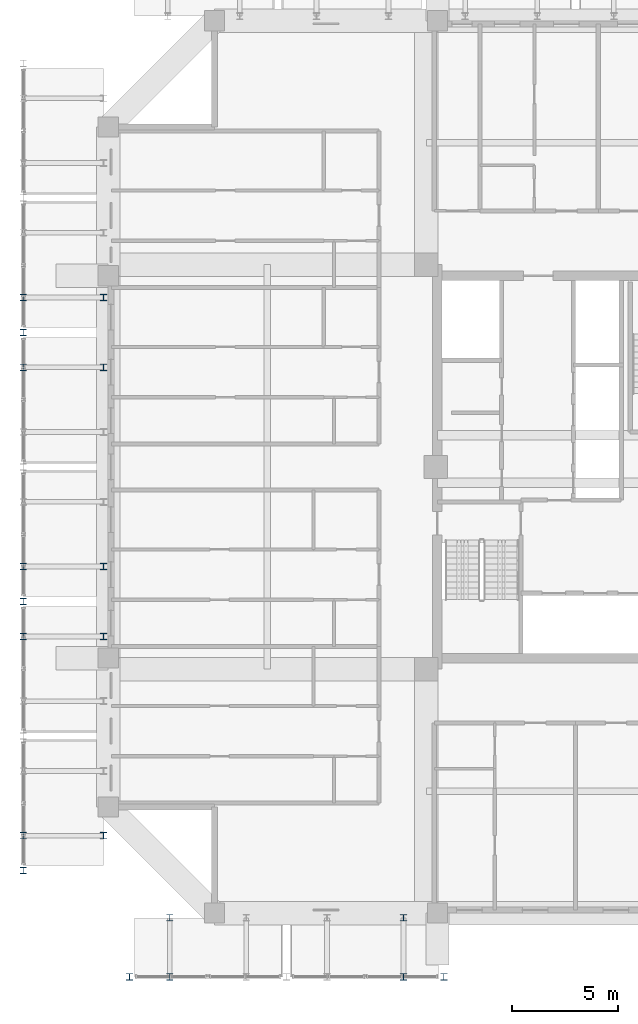
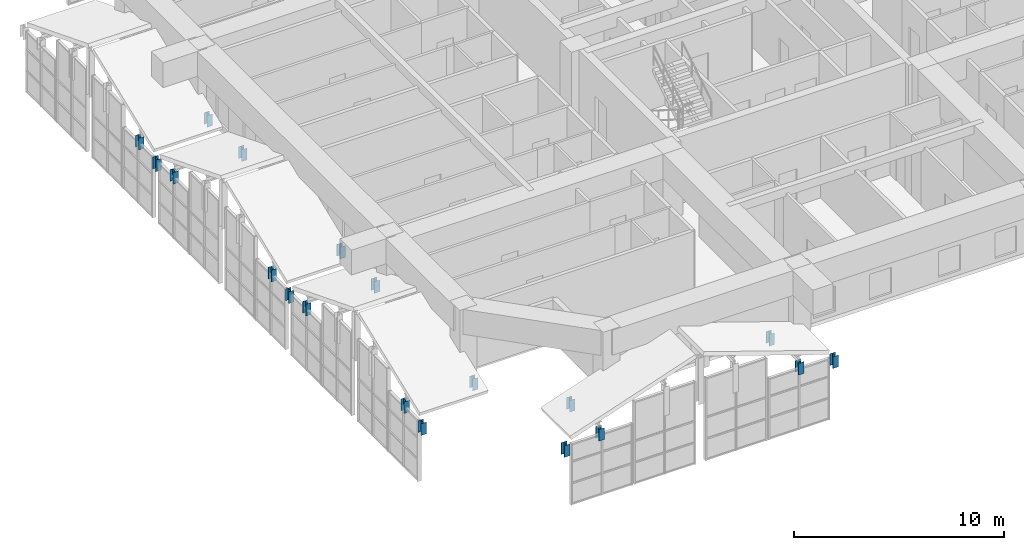
# One storey, part 28 of 45: 19 members.
"""IFC4 building model written with IfcOpenShell, lengths in metres."""

from ifc_helpers import new_model, si_unit, direction, frame, origin, origin_2d, place, context, subcontext, project, spatial, i_section, extrude, source, transform, mapped, material, material_profile, profile_set, type_object, element, save


model = new_model("IFC4")

# Units and contexts
model_context = context("Model", 3, precision=1e-05, world=origin(), true_north=direction((0.0, 1.0)))
body_context = subcontext(model_context, "Body", "Model", "MODEL_VIEW")
ifc_project = project(units=[si_unit("LENGTHUNIT", "METRE"), si_unit("AREAUNIT", "SQUARE_METRE"), si_unit("VOLUMEUNIT", "CUBIC_METRE"), si_unit("PLANEANGLEUNIT", "RADIAN"), si_unit("MASSUNIT", "GRAM", prefix="KILO")], contexts=[model_context])

# Site, building, storey
site_placement = place(None, origin())
site = spatial("IfcSite", under=ifc_project, at=site_placement, CompositionType="ELEMENT")
building_placement = place(site_placement, origin())
building = spatial("IfcBuilding", under=site, at=building_placement, Name="Saelheon Loggia Tower", CompositionType="ELEMENT")
storey_placement = place(building_placement, frame((0.0, 0.0, 152.199951171875)))
storey = spatial("IfcBuildingStorey", under=building, at=storey_placement, Name="L48", CompositionType="ELEMENT", Elevation=152.199951171875)

# Members
ifc_material = material(Name="Steel SM355", Category="steel")
ifc_material_profile_1 = material_profile(ifc_material, i_section(OverallWidth=0.300048828125, OverallDepth=0.300048828125, WebThickness=0.010009765625, FlangeThickness=0.014892578125, at=origin_2d()), Name="H-300x300x10x15")
ifc_profile_set_1 = profile_set([ifc_material_profile_1], Name="Steel SM355")
member_type_1 = type_object("IfcMemberType", Name="WaveCrest_Post_H300", PredefinedType="POST", material=ifc_profile_set_1)
shared_shape_1 = source(origin(), body_context, "Body", "SweptSolid", [
    extrude(i_section(OverallWidth=0.300048828125, OverallDepth=0.300048828125, WebThickness=0.010009765625, FlangeThickness=0.014892578125, at=origin_2d()), origin(), (0.0, 0.0, 1.0), 0.679931640625),
])
for number, where, z_axis, x_axis, name in (
    (1, (12.0, 8.0, -0.47998046875), (0.0, 0.0, 1.0), (1.0, 0.0, 0.0), "Tier 1 Wave Crest Upper Post W 00"),
    (2, (12.0, 20.666748046875, -0.47998046875), (0.0, 0.0, 1.0), (1.0, 0.0, 0.0), "Tier 1 Wave Crest Upper Post W 02"),
    (3, (12.0, 33.333251953125, -0.47998046875), (0.0, 0.0, 1.0), (1.0, 0.0, 0.0), "Tier 1 Wave Crest Upper Post W 04"),
    (4, (17.0, 3.0, -0.47998046875), (0.0, 0.0, 1.0), (1.0, 0.0, 0.0), "Tier 1 Wave Crest Upper Post SW 00"),
    (5, (31.800048828125, 3.0, -0.47998046875), (0.0, 0.0, 1.0), (1.0, 0.0, 0.0), "Tier 1 Wave Crest Upper Post SW 02"),
    (6, (18.90087890625, 3.0, -0.20166015625), (0.0, 0.0, 1.0), (1.0, 0.0, 0.0), "Tier 1 Rafter Outer Upper Post SW 01"),
):
    element("IfcMember", number, at=place(storey_placement, frame(where, z_axis=z_axis, x_axis=x_axis)), inside=storey, type_object=member_type_1, Name=name, PredefinedType="POST", context=body_context, shape_type="MappedRepresentation", body=[
        mapped(shared_shape_1, transform((0.0, 0.0, 0.0), scale=1.0)),
    ])
ifc_material_profile_2 = material_profile(ifc_material, i_section(OverallWidth=0.300048828125, OverallDepth=0.300048828125, WebThickness=0.010009765625, FlangeThickness=0.014892578125, at=origin_2d()), Name="H-300x300x10x15")
ifc_profile_set_2 = profile_set([ifc_material_profile_2], Name="Steel SM355")
member_type_2 = type_object("IfcMemberType", Name="Belt_Post_H300", PredefinedType="POST", material=ifc_profile_set_2)
member_1_placement = place(storey_placement, frame((18.90087890625, 5.780029296875, -0.20166015625), z_axis=(0.0, 0.0, 1.0), x_axis=(1.0, 0.0, 0.0)))
element("IfcMember", 7, at=member_1_placement, inside=storey, type_object=member_type_2, Name="Tier 1 Rafter Inner Post SW 01", PredefinedType="POST", context=body_context, shape_type="MappedRepresentation", body=[
    mapped(shared_shape_1, transform((0.0, 0.0, 0.0), scale=1.0)),
])
member_2_placement = place(storey_placement, frame((29.899169921875, 3.0, -0.20166015625), z_axis=(0.0, 0.0, 1.0), x_axis=(1.0, 0.0, 0.0)))
element("IfcMember", 8, at=member_2_placement, inside=storey, type_object=member_type_1, Name="Tier 1 Rafter Outer Upper Post SW 02", PredefinedType="POST", context=body_context, shape_type="MappedRepresentation", body=[
    mapped(shared_shape_1, transform((0.0, 0.0, 0.0), scale=1.0)),
])
member_3_placement = place(storey_placement, frame((29.899169921875, 5.780029296875, -0.20166015625), z_axis=(0.0, 0.0, 1.0), x_axis=(1.0, 0.0, 0.0)))
element("IfcMember", 9, at=member_3_placement, inside=storey, type_object=member_type_2, Name="Tier 1 Rafter Inner Post SW 02", PredefinedType="POST", context=body_context, shape_type="MappedRepresentation", body=[
    mapped(shared_shape_1, transform((0.0, 0.0, 0.0), scale=1.0)),
])
shared_shape_2 = source(origin(), body_context, "Body", "SweptSolid", [
    extrude(i_section(OverallWidth=0.300048828125, OverallDepth=0.300048828125, WebThickness=0.010009765625, FlangeThickness=0.014892578125, at=origin_2d()), origin(), (0.0, 0.0, 1.0), 0.68017578125),
])
member_4_placement = place(storey_placement, frame((12.0, 9.644775390625, -0.2080078125), z_axis=(0.0, 0.0, 1.0), x_axis=(1.0, 0.0, 0.0)))
element("IfcMember", 10, at=member_4_placement, inside=storey, type_object=member_type_1, Name="Tier 1 Rafter Outer Upper Post W 01", PredefinedType="POST", context=body_context, shape_type="MappedRepresentation", body=[
    mapped(shared_shape_2, transform((0.0, 0.0, 0.0), scale=1.0)),
])
member_5_placement = place(storey_placement, frame((15.780029296875, 9.644775390625, -0.2080078125), z_axis=(0.0, 0.0, 1.0), x_axis=(1.0, 0.0, 0.0)))
element("IfcMember", 11, at=member_5_placement, inside=storey, type_object=member_type_2, Name="Tier 1 Rafter Inner Post W 01", PredefinedType="POST", context=body_context, shape_type="MappedRepresentation", body=[
    mapped(shared_shape_2, transform((0.0, 0.0, 0.0), scale=1.0)),
])
member_6_placement = place(storey_placement, frame((12.0, 19.02197265625, -0.2080078125), z_axis=(0.0, 0.0, 1.0), x_axis=(1.0, 0.0, 0.0)))
element("IfcMember", 12, at=member_6_placement, inside=storey, type_object=member_type_1, Name="Tier 1 Rafter Outer Upper Post W 02", PredefinedType="POST", context=body_context, shape_type="MappedRepresentation", body=[
    mapped(shared_shape_2, transform((0.0, 0.0, 0.0), scale=1.0)),
])
member_7_placement = place(storey_placement, frame((15.780029296875, 19.02197265625, -0.2080078125), z_axis=(0.0, 0.0, 1.0), x_axis=(1.0, 0.0, 0.0)))
element("IfcMember", 13, at=member_7_placement, inside=storey, type_object=member_type_2, Name="Tier 1 Rafter Inner Post W 02", PredefinedType="POST", context=body_context, shape_type="MappedRepresentation", body=[
    mapped(shared_shape_2, transform((0.0, 0.0, 0.0), scale=1.0)),
])
member_8_placement = place(storey_placement, frame((12.0, 22.3115234375, -0.2080078125), z_axis=(0.0, 0.0, 1.0), x_axis=(1.0, 0.0, 0.0)))
element("IfcMember", 14, at=member_8_placement, inside=storey, type_object=member_type_1, Name="Tier 1 Rafter Outer Upper Post W 03", PredefinedType="POST", context=body_context, shape_type="MappedRepresentation", body=[
    mapped(shared_shape_2, transform((0.0, 0.0, 0.0), scale=1.0)),
])
member_9_placement = place(storey_placement, frame((15.780029296875, 22.3115234375, -0.2080078125), z_axis=(0.0, 0.0, 1.0), x_axis=(1.0, 0.0, 0.0)))
element("IfcMember", 15, at=member_9_placement, inside=storey, type_object=member_type_2, Name="Tier 1 Rafter Inner Post W 03", PredefinedType="POST", context=body_context, shape_type="MappedRepresentation", body=[
    mapped(shared_shape_2, transform((0.0, 0.0, 0.0), scale=1.0)),
])
member_10_placement = place(storey_placement, frame((12.0, 31.6884765625, -0.2080078125), z_axis=(0.0, 0.0, 1.0), x_axis=(1.0, 0.0, 0.0)))
element("IfcMember", 16, at=member_10_placement, inside=storey, type_object=member_type_1, Name="Tier 1 Rafter Outer Upper Post W 04", PredefinedType="POST", context=body_context, shape_type="MappedRepresentation", body=[
    mapped(shared_shape_2, transform((0.0, 0.0, 0.0), scale=1.0)),
])
member_11_placement = place(storey_placement, frame((15.780029296875, 31.6884765625, -0.2080078125), z_axis=(0.0, 0.0, 1.0), x_axis=(1.0, 0.0, 0.0)))
element("IfcMember", 17, at=member_11_placement, inside=storey, type_object=member_type_2, Name="Tier 1 Rafter Inner Post W 04", PredefinedType="POST", context=body_context, shape_type="MappedRepresentation", body=[
    mapped(shared_shape_2, transform((0.0, 0.0, 0.0), scale=1.0)),
])
member_12_placement = place(storey_placement, frame((12.0, 34.97802734375, -0.2080078125), z_axis=(0.0, 0.0, 1.0), x_axis=(1.0, 0.0, 0.0)))
element("IfcMember", 18, at=member_12_placement, inside=storey, type_object=member_type_1, Name="Tier 1 Rafter Outer Upper Post W 05", PredefinedType="POST", context=body_context, shape_type="MappedRepresentation", body=[
    mapped(shared_shape_2, transform((0.0, 0.0, 0.0), scale=1.0)),
])
member_13_placement = place(storey_placement, frame((15.780029296875, 34.97802734375, -0.2080078125), z_axis=(0.0, 0.0, 1.0), x_axis=(1.0, 0.0, 0.0)))
element("IfcMember", 19, at=member_13_placement, inside=storey, type_object=member_type_2, Name="Tier 1 Rafter Inner Post W 05", PredefinedType="POST", context=body_context, shape_type="MappedRepresentation", body=[
    mapped(shared_shape_2, transform((0.0, 0.0, 0.0), scale=1.0)),
])

save(model, "model.ifc")
